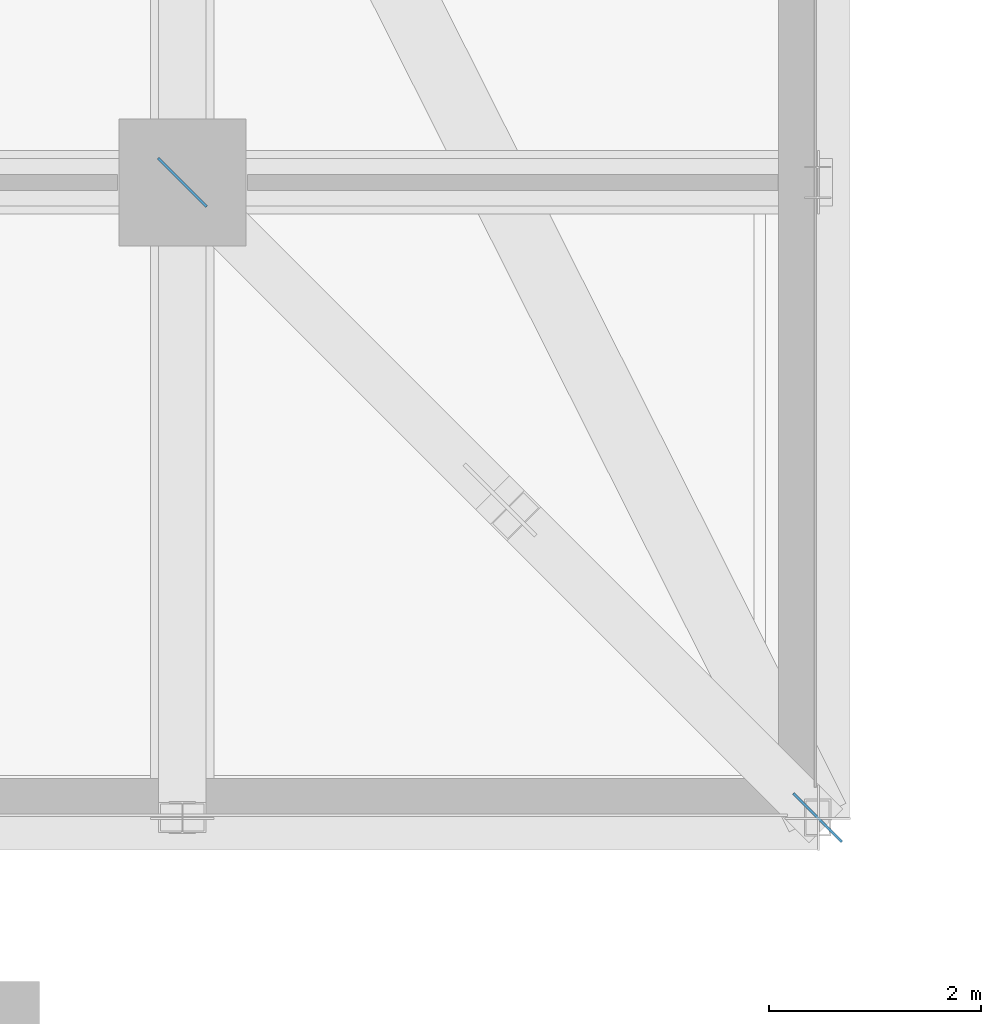
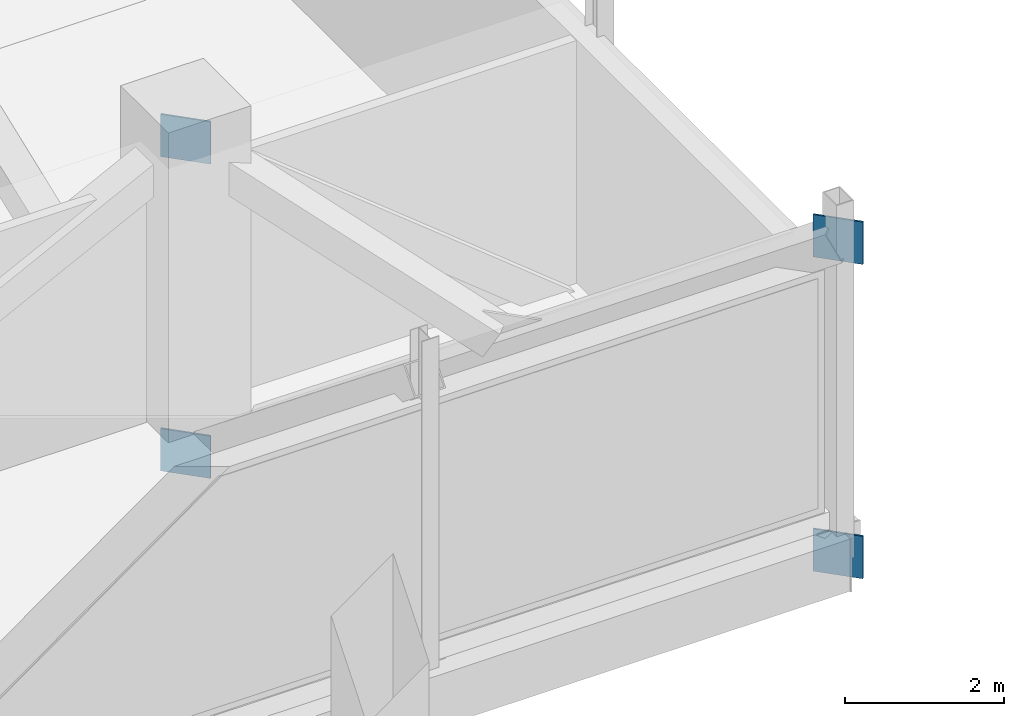
# One storey, part 104 of 127: 4 plates.
"""IFC4 building model written with IfcOpenShell, lengths in metres."""

import ifcopenshell
import ifcopenshell.guid

model = None  # the IFC model being written
_history = None  # IfcOwnerHistory: only IFC2X3 demands one
_inside = {}  # id of a spatial element -> (the spatial element, [elements in it])
_under = {}  # id of a project, library or spatial element -> (it, [spatial elements below it])
_declared = {}  # id of a project -> (the project, [libraries it declares])
_typed = {}  # id of a type object -> (the type object, [elements of that type])
_made_of = {}  # id of a material, layer set ... -> (it, [elements and type objects made of it])


def new_model(schema):
    """Start an empty IFC model of exactly this schema.

    Asked for "IFC4X3", IfcOpenShell would pick the latest addendum, in which some entities
    have other attributes; the version numbers below select the first issue.
    IFC2X3 requires an IfcOwnerHistory on every rooted entity: one is made here for all.
    """
    global model, _history
    if schema == "IFC4X3":
        model = ifcopenshell.file(schema_version=(4, 3, 0, 0))
    else:
        model = ifcopenshell.file(schema=schema)
    _inside.clear()
    _under.clear()
    _declared.clear()
    _typed.clear()
    _made_of.clear()
    _history = None
    if model.schema == "IFC2X3":
        org = make("IfcOrganization", Name="unknown")
        user = make(
            "IfcPersonAndOrganization",
            ThePerson=make("IfcPerson", FamilyName="unknown"),
            TheOrganization=org,
        )
        app = make(
            "IfcApplication",
            ApplicationDeveloper=org,
            Version="unknown",
            ApplicationFullName="unknown",
            ApplicationIdentifier="unknown",
        )
        _history = make(
            "IfcOwnerHistory",
            OwningUser=user,
            OwningApplication=app,
            ChangeAction="ADDED",
            CreationDate=0,
        )
    return model


def make(cls, **values):
    """One entity of the class cls with the attributes given. An attribute that is None is left unset."""
    return model.create_entity(
        cls, **{name: value for name, value in values.items() if value is not None}
    )


def rooted(cls, **values):
    """An entity with a GlobalId (a new one), such as an element, a storey or a relation."""
    return make(cls, GlobalId=ifcopenshell.guid.new(), OwnerHistory=_history, **values)


def si_unit(unit_type, name, prefix=None):
    """IfcSIUnit, for example si_unit("LENGTHUNIT", "METRE", prefix="MILLI")."""
    return make("IfcSIUnit", UnitType=unit_type, Prefix=prefix, Name=name)


def derived_unit(unit_type, elements):
    """IfcDerivedUnit: a product of units, each with its exponent."""
    return make(
        "IfcDerivedUnit",
        Elements=[
            make("IfcDerivedUnitElement", Unit=unit, Exponent=power)
            for unit, power in elements
        ],
        UnitType=unit_type,
    )


def assignment(units):
    """IfcUnitAssignment: the units of a project."""
    return None if units is None else make("IfcUnitAssignment", Units=units)


def point(xyz):
    """IfcCartesianPoint."""
    return None if xyz is None else make("IfcCartesianPoint", Coordinates=xyz)


def direction(xyz):
    """IfcDirection."""
    return None if xyz is None else make("IfcDirection", DirectionRatios=xyz)


def frame(location, z_axis=None, x_axis=None):
    """IfcAxis2Placement3D, a coordinate frame: its origin and axes. An axis left out is left unset."""
    return make(
        "IfcAxis2Placement3D",
        Location=point(location),
        Axis=direction(z_axis),
        RefDirection=direction(x_axis),
    )


def frame_2d(location, x_axis=None):
    """IfcAxis2Placement2D, a coordinate frame in the plane: its origin and x axis."""
    return make(
        "IfcAxis2Placement2D", Location=point(location), RefDirection=direction(x_axis)
    )


def origin():
    """The frame at (0, 0, 0) with its axes left unset."""
    return frame((0.0, 0.0, 0.0))


def origin_2d():
    """The frame at (0, 0) in the plane with its x axis left unset."""
    return frame_2d((0.0, 0.0))


def place(relative_to, where):
    """IfcLocalPlacement: puts the frame where relative to a parent placement (None: the world)."""
    return make(
        "IfcLocalPlacement", PlacementRelTo=relative_to, RelativePlacement=where
    )


def context(
    kind, dimensions, precision=None, world=None, true_north=None, identifier=None
):
    """IfcGeometricRepresentationContext, for example the 3D "Model" context."""
    return make(
        "IfcGeometricRepresentationContext",
        ContextIdentifier=identifier,
        ContextType=kind,
        CoordinateSpaceDimension=dimensions,
        Precision=precision,
        WorldCoordinateSystem=world,
        TrueNorth=true_north,
    )


def subcontext(parent, identifier, kind, view, scale=None):
    """IfcGeometricRepresentationSubContext, for example "Body" below "Model"."""
    return make(
        "IfcGeometricRepresentationSubContext",
        ContextIdentifier=identifier,
        ContextType=kind,
        ParentContext=parent,
        TargetScale=scale,
        TargetView=view,
    )


def project(units=None, contexts=None):
    """IfcProject with its units and contexts."""
    return rooted(
        "IfcProject",
        Name="project",
        RepresentationContexts=contexts,
        UnitsInContext=assignment(units),
    )


def spatial(cls, under=None, at=None, **own):
    """A site, building, storey or space (cls), placed at a placement, below another one or the project."""
    s = rooted(cls, ObjectPlacement=at, **own)
    if under is not None:
        _under.setdefault(under.id(), (under, []))[1].append(s)
    return s


def profile(cls, at=None, kind="AREA", **sizes):
    """A parametric profile (cls). Its sizes go by their IFC names, for example OverallWidth=200.0."""
    return make(cls, ProfileType=kind, Position=at, **sizes)


def rectangle(**sizes):
    """IfcRectangleProfileDef."""
    return profile("IfcRectangleProfileDef", **sizes)


def extrude(swept, where, along, depth):
    """IfcExtrudedAreaSolid: the profile swept, set in the frame where, extruded along a direction by depth."""
    return make(
        "IfcExtrudedAreaSolid",
        SweptArea=swept,
        Position=where,
        ExtrudedDirection=direction(along),
        Depth=depth,
    )


def shape(context_of_items, identifier, shape_type, items):
    """IfcShapeRepresentation: the items that make up one representation, for example the "Body"."""
    return make(
        "IfcShapeRepresentation",
        ContextOfItems=context_of_items,
        RepresentationIdentifier=identifier,
        RepresentationType=shape_type,
        Items=items,
    )


def material(Name=None, Category=None):
    """IfcMaterial."""
    return make("IfcMaterial", Name=Name, Category=Category)


def layer(
    of_material, thickness, ventilated=None, Name=None, Category=None, Priority=None
):
    """IfcMaterialLayer: one layer of a wall or slab, of a material (None: an air gap)."""
    return make(
        "IfcMaterialLayer",
        Material=of_material,
        LayerThickness=thickness,
        IsVentilated=ventilated,
        Name=Name,
        Category=Category,
        Priority=Priority,
    )


def layer_set(layers, Name=None):
    """IfcMaterialLayerSet."""
    return make("IfcMaterialLayerSet", MaterialLayers=layers, LayerSetName=Name)


def made_of(thing, what):
    """Note that an element or type object is made of a material, layer set ...; save() writes the relation."""
    if what is not None:
        _made_of.setdefault(what.id(), (what, []))[1].append(thing)
    return thing


def type_object(cls, material=None, **own):
    """A type object (cls), such as IfcWallType, which elements share."""
    return made_of(rooted(cls, **own), material)


def element(
    cls,
    number,
    at=None,
    inside=None,
    cuts=None,
    type_object=None,
    material=None,
    context=None,
    identifier="Body",
    shape_type=None,
    held_by="IfcProductDefinitionShape",
    body=None,
    shapes=None,
    **own,
):
    """One element of the class cls, such as IfcWall. Its Tag is "e" and its number.

    at: its placement. inside: the storey or other place that contains it. cuts: it is an
    opening in that element (IfcRelVoidsElement). A single representation is given by context,
    identifier, shape_type and body (its items); several are given by shapes. held_by: the class
    of the entity that holds the representations. save() writes the other relations.
    """
    e = rooted(cls, Tag="e%d" % number, ObjectPlacement=at, **own)
    if body is not None:
        shapes = [shape(context, identifier, shape_type, body)]
    if shapes is not None:
        e.Representation = make(held_by, Representations=shapes)
    if inside is not None:
        _inside.setdefault(inside.id(), (inside, []))[1].append(e)
    if cuts is not None:
        rooted(
            "IfcRelVoidsElement", RelatingBuildingElement=cuts, RelatedOpeningElement=e
        )
    if type_object is not None:
        _typed.setdefault(type_object.id(), (type_object, []))[1].append(e)
    return made_of(e, material)


def aggregate(whole, parts):
    """IfcRelAggregates: a whole, such as a stair, and the parts it consists of."""
    return rooted("IfcRelAggregates", RelatingObject=whole, RelatedObjects=parts)


def save(model, path):
    """Write the relations noted so far, then the file.

    IfcRelAggregates (storeys below a building ...), IfcRelContainedInSpatialStructure (elements
    in a storey), IfcRelDefinesByType, IfcRelAssociatesMaterial and IfcRelDeclares: one each for
    every whole, place, type object, material and project.
    """
    for whole, parts in _under.values():
        aggregate(whole, parts)
    for where, things in _inside.values():
        rooted(
            "IfcRelContainedInSpatialStructure",
            RelatedElements=things,
            RelatingStructure=where,
        )
    for kind, things in _typed.values():
        rooted("IfcRelDefinesByType", RelatedObjects=things, RelatingType=kind)
    for what, things in _made_of.values():
        rooted("IfcRelAssociatesMaterial", RelatedObjects=things, RelatingMaterial=what)
    for by, libraries in _declared.values():
        rooted("IfcRelDeclares", RelatingContext=by, RelatedDefinitions=libraries)
    model.write(path)


model = new_model("IFC4")

# Units and contexts
model_context = context("Model", 3, precision=1e-05, world=origin(), true_north=direction((0.0, 1.0)))
body_context = subcontext(model_context, "Body", "Model", "MODEL_VIEW")
ifc_project = project(units=[si_unit("LENGTHUNIT", "METRE"), si_unit("AREAUNIT", "SQUARE_METRE"), si_unit("VOLUMEUNIT", "CUBIC_METRE"), si_unit("PLANEANGLEUNIT", "RADIAN"), si_unit("MASSUNIT", "GRAM", prefix="KILO"), derived_unit("THERMALTRANSMITTANCEUNIT", [(si_unit("POWERUNIT", "WATT"), 1), (si_unit("LENGTHUNIT", "METRE"), -2), (si_unit("THERMODYNAMICTEMPERATUREUNIT", "KELVIN"), -1)])], contexts=[model_context])

# Site, building, storey
site_placement = place(None, origin())
site = spatial("IfcSite", under=ifc_project, at=site_placement, CompositionType="ELEMENT")
building_placement = place(site_placement, origin())
building = spatial("IfcBuilding", under=site, at=building_placement, Name="Nallur Shell Playhouse", CompositionType="ELEMENT")
storey_placement = place(building_placement, frame((0.0, 0.0, 5.39990234375)))
storey = spatial("IfcBuildingStorey", under=building, at=storey_placement, Name="L02", CompositionType="ELEMENT", Elevation=5.39990234375)

# Plates
ifc_material = material(Name="Steel E350", Category="steel")
ifc_layer = layer(ifc_material, 0.02490234375)
ifc_layer_set = layer_set([ifc_layer], Name="Steel E350")
plate_type = type_object("IfcPlateType", Name="PT-GUSSET-25", PredefinedType="USERDEFINED", material=ifc_layer_set)
for number, where, z_axis, x_axis, name in (
    (1, (112.60009765625, 16.0, -1.0048828125), (0.0, 0.0, 1.0), (0.707106781187, -0.707106781187, 0.0), "Corner transfer TTC-SE end gusset plate B0"),
    (2, (112.60009765625, 16.0, 3.815185546875), (0.0, 0.0, 1.0), (0.707106781187, -0.707106781187, 0.0), "Corner transfer TTC-SE end gusset plate T0"),
    (3, (118.60009765625, 10.0, -1.0048828125), (0.0, 0.0, 1.0), (0.707106781187, -0.707106781187, 0.0), "Corner transfer TTC-SE end gusset plate B1"),
    (4, (118.60009765625, 10.0, 3.815185546875), (0.0, 0.0, 1.0), (0.707106781187, -0.707106781187, 0.0), "Corner transfer TTC-SE end gusset plate T1"),
):
    element("IfcPlate", number, at=place(storey_placement, frame(where, z_axis=z_axis, x_axis=x_axis)), inside=storey, type_object=plate_type, Name=name, ObjectType="GUSSET PLATE", PredefinedType="USERDEFINED", context=body_context, shape_type="SweptSolid", body=[
        extrude(rectangle(XDim=0.64990234375, YDim=0.02490234375, at=origin_2d()), origin(), (0.0, 0.0, 1.0), 0.64990234375),
    ])

save(model, "model.ifc")
